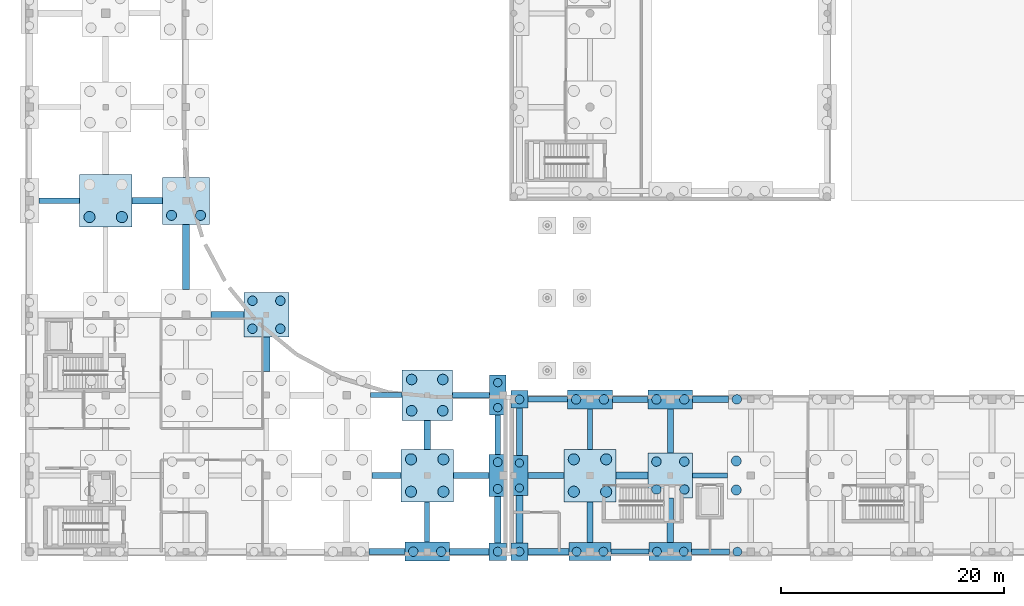
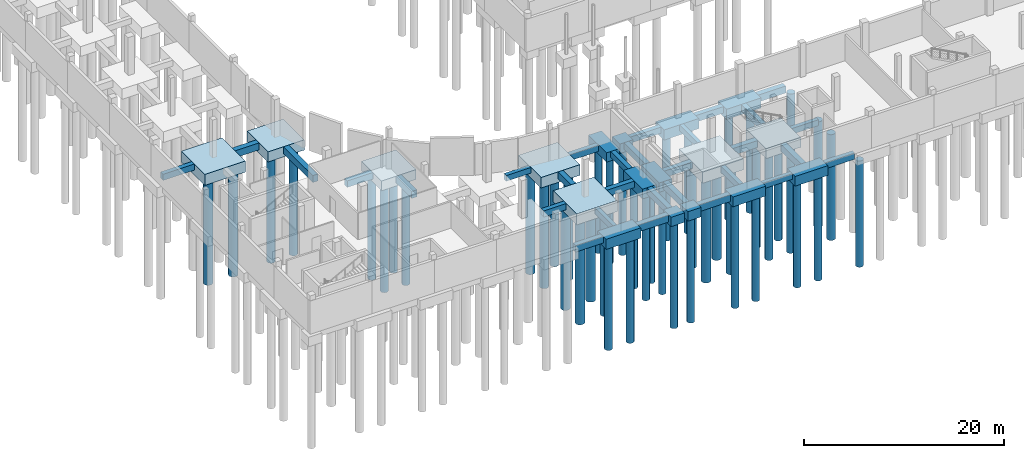
# One storey, part 2 of 41: 48 footings, 47 piles.
"""IFC4 building model written with IfcOpenShell, lengths in metres."""

from ifc_helpers import new_model, si_unit, direction, frame, origin, origin_2d, place, context, subcontext, project, spatial, rectangle, circle, extrude, material, material_profile, profile_set, type_object, element, save


model = new_model("IFC4")

# Units and contexts
model_context = context("Model", 3, precision=1e-05, world=origin(), true_north=direction((0.0, 1.0)))
body_context = subcontext(model_context, "Body", "Model", "MODEL_VIEW")
ifc_project = project(units=[si_unit("LENGTHUNIT", "METRE"), si_unit("AREAUNIT", "SQUARE_METRE"), si_unit("VOLUMEUNIT", "CUBIC_METRE"), si_unit("PLANEANGLEUNIT", "RADIAN"), si_unit("MASSUNIT", "GRAM", prefix="KILO")], contexts=[model_context])

# Site, building, storey
site_placement = place(None, origin())
site = spatial("IfcSite", under=ifc_project, at=site_placement, CompositionType="ELEMENT")
building_placement = place(site_placement, origin())
building = spatial("IfcBuilding", under=site, at=building_placement, Name="Vardoun Plaza Health Centre", CompositionType="ELEMENT")
storey_placement = place(building_placement, frame((0.0, 0.0, -4.5)))
storey = spatial("IfcBuildingStorey", under=building, at=storey_placement, Name="B1", CompositionType="ELEMENT", Elevation=-4.5)

# Footings
ifc_material_1 = material(Name="Concrete C40/50", Category="concrete")
footing_type_1 = type_object("IfcFootingType", Name="PC-02", PredefinedType="PILE_CAP", material=ifc_material_1)
for number, where, z_axis, x_axis, name in (
    (1, (46.820068359375, 4.8798828125, -1.570068359375), (0.0, 0.0, 1.0), (1.0, 0.0, 0.0), "V2 Pile Cap PC-V2-41"),
    (2, (48.760009765625, 4.8798828125, -1.570068359375), (0.0, 0.0, 1.0), (1.0, 0.0, 0.0), "V4 Pile Cap PC-V4-01"),
    (3, (48.760009765625, 18.52001953125, -1.570068359375), (0.0, 0.0, 1.0), (1.0, 0.0, 0.0), "V4 Pile Cap PC-V4-03"),
):
    element("IfcFooting", number, at=place(storey_placement, frame(where, z_axis=z_axis, x_axis=x_axis)), inside=storey, type_object=footing_type_1, Name=name, PredefinedType="PILE_CAP", context=body_context, shape_type="SweptSolid", body=[
        extrude(rectangle(XDim=1.550048828125, YDim=1.550048828125, at=origin_2d()), origin(), (0.0, 0.0, 1.0), 1.14990234375),
    ])
ifc_material_2 = material(Name="Concrete C40/50", Category="concrete")
footing_type_2 = type_object("IfcFootingType", Name="PC-03", PredefinedType="PILE_CAP", material=ifc_material_2)
for number, where, z_axis, x_axis, name in (
    (4, (46.820068359375, 18.89990234375, -1.570068359375), (0.0, 0.0, 1.0), (0.0, 1.0, 0.0), "V2 Pile Cap PC-V2-43"),
    (5, (48.760009765625, 11.699951171875, -1.570068359375), (0.0, 0.0, 1.0), (0.0, 1.0, 0.0), "V4 Pile Cap PC-V4-02"),
):
    element("IfcFooting", number, at=place(storey_placement, frame(where, z_axis=z_axis, x_axis=x_axis)), inside=storey, type_object=footing_type_2, Name=name, PredefinedType="PILE_CAP", context=body_context, shape_type="SweptSolid", body=[
        extrude(rectangle(XDim=3.60009765625, YDim=1.5, at=origin_2d()), origin(), (0.0, 0.0, 1.0), 1.14990234375),
    ])
ifc_material_3 = material(Name="Concrete C40/50", Category="concrete")
footing_type_3 = type_object("IfcFootingType", Name="PC-04", PredefinedType="PILE_CAP", material=ifc_material_3)
for number, where, z_axis, x_axis, name in (
    (6, (46.820068359375, 11.699951171875, -1.6201171875), (0.0, 0.0, 1.0), (0.0, 1.0, 0.0), "V2 Pile Cap PC-V2-42"),
    (7, (55.080078125, 4.8798828125, -1.6201171875), (0.0, 0.0, 1.0), (1.0, 0.0, 0.0), "V4 Pile Cap PC-V4-04"),
    (8, (62.280029296875, 4.8798828125, -1.6201171875), (0.0, 0.0, 1.0), (1.0, 0.0, 0.0), "V4 Pile Cap PC-V4-07"),
):
    element("IfcFooting", number, at=place(storey_placement, frame(where, z_axis=z_axis, x_axis=x_axis)), inside=storey, type_object=footing_type_3, Name=name, PredefinedType="PILE_CAP", context=body_context, shape_type="SweptSolid", body=[
        extrude(rectangle(XDim=3.800048828125, YDim=1.60009765625, at=origin_2d()), origin(), (0.0, 0.0, 1.0), 1.199951171875),
    ])
ifc_material_4 = material(Name="Concrete C40/50", Category="concrete")
footing_type_4 = type_object("IfcFootingType", Name="PC-05", PredefinedType="PILE_CAP", material=ifc_material_4)
for number, where, z_axis, x_axis, name in (
    (9, (40.5, 4.8798828125, -1.669921875), (0.0, 0.0, 1.0), (1.0, 0.0, 0.0), "V2 Pile Cap PC-V2-38"),
    (10, (55.080078125, 18.52001953125, -1.669921875), (0.0, 0.0, 1.0), (1.0, 0.0, 0.0), "V4 Pile Cap PC-V4-06"),
    (11, (62.280029296875, 18.52001953125, -1.669921875), (0.0, 0.0, 1.0), (1.0, 0.0, 0.0), "V4 Pile Cap PC-V4-09"),
):
    element("IfcFooting", number, at=place(storey_placement, frame(where, z_axis=z_axis, x_axis=x_axis)), inside=storey, type_object=footing_type_4, Name=name, PredefinedType="PILE_CAP", context=body_context, shape_type="SweptSolid", body=[
        extrude(rectangle(XDim=4.0, YDim=1.699951171875, at=origin_2d()), origin(), (0.0, 0.0, 1.0), 1.25),
    ])
ifc_material_5 = material(Name="Concrete C40/50", Category="concrete")
footing_type_5 = type_object("IfcFootingType", Name="PC-06", PredefinedType="PILE_CAP", material=ifc_material_5)
for number, where, z_axis, x_axis, name in (
    (12, (26.10009765625, 26.10009765625, -1.6201171875), (0.0, 0.0, 1.0), (1.0, 0.0, 0.0), "V2 Pile Cap PC-V2-34"),
    (13, (62.280029296875, 11.699951171875, -1.6201171875), (0.0, 0.0, 1.0), (1.0, 0.0, 0.0), "V4 Pile Cap PC-V4-08"),
):
    element("IfcFooting", number, at=place(storey_placement, frame(where, z_axis=z_axis, x_axis=x_axis)), inside=storey, type_object=footing_type_5, Name=name, PredefinedType="PILE_CAP", context=body_context, shape_type="SweptSolid", body=[
        extrude(rectangle(XDim=4.0, YDim=4.0, at=origin_2d()), origin(), (0.0, 0.0, 1.0), 1.199951171875),
    ])
ifc_material_6 = material(Name="Concrete C40/50", Category="concrete")
footing_type_6 = type_object("IfcFootingType", Name="PC-07", PredefinedType="PILE_CAP", material=ifc_material_6)
footing_1_placement = place(storey_placement, frame((18.89990234375, 36.300048828125, -1.669921875), z_axis=(0.0, 0.0, 1.0), x_axis=(1.0, 0.0, 0.0)))
element("IfcFooting", 14, at=footing_1_placement, inside=storey, type_object=footing_type_6, Name="V2 Pile Cap PC-V2-25", PredefinedType="PILE_CAP", context=body_context, shape_type="SweptSolid", body=[
    extrude(rectangle(XDim=4.199951171875, YDim=4.199951171875, at=origin_2d()), origin(), (0.0, 0.0, 1.0), 1.25),
])
ifc_material_7 = material(Name="Concrete C40/50", Category="concrete")
footing_type_7 = type_object("IfcFootingType", Name="PC-08", PredefinedType="PILE_CAP", material=ifc_material_7)
footing_2_placement = place(storey_placement, frame((40.5, 18.89990234375, -1.72021484375), z_axis=(0.0, 0.0, 1.0), x_axis=(1.0, 0.0, 0.0)))
element("IfcFooting", 15, at=footing_2_placement, inside=storey, type_object=footing_type_7, Name="V2 Pile Cap PC-V2-40", PredefinedType="PILE_CAP", context=body_context, shape_type="SweptSolid", body=[
    extrude(rectangle(XDim=4.5, YDim=4.5, at=origin_2d()), origin(), (0.0, 0.0, 1.0), 1.300048828125),
])
ifc_material_8 = material(Name="Concrete C40/50", Category="concrete")
footing_type_8 = type_object("IfcFootingType", Name="PC-09", PredefinedType="PILE_CAP", material=ifc_material_8)
for number, where, z_axis, x_axis, name in (
    (16, (11.699951171875, 36.300048828125, -1.77001953125), (0.0, 0.0, 1.0), (1.0, 0.0, 0.0), "V2 Pile Cap PC-V2-15"),
    (17, (40.5, 11.699951171875, -1.77001953125), (0.0, 0.0, 1.0), (1.0, 0.0, 0.0), "V2 Pile Cap PC-V2-39"),
    (18, (55.080078125, 11.699951171875, -1.77001953125), (0.0, 0.0, 1.0), (1.0, 0.0, 0.0), "V4 Pile Cap PC-V4-05"),
):
    element("IfcFooting", number, at=place(storey_placement, frame(where, z_axis=z_axis, x_axis=x_axis)), inside=storey, type_object=footing_type_8, Name=name, PredefinedType="PILE_CAP", context=body_context, shape_type="SweptSolid", body=[
        extrude(rectangle(XDim=4.699951171875, YDim=4.699951171875, at=origin_2d()), origin(), (0.0, 0.0, 1.0), 1.35009765625),
    ])
ifc_material_9 = material(Name="Concrete C40/50", Category="concrete")
ifc_material_profile_1 = material_profile(ifc_material_9, rectangle(XDim=0.449951171875, YDim=0.699951171875, at=origin_2d()), Name="GB 450x700")
ifc_profile_set_1 = profile_set([ifc_material_profile_1], Name="Concrete C40/50")
footing_type_9 = type_object("IfcFootingType", Name="GB-01", PredefinedType="FOOTING_BEAM", material=ifc_profile_set_1)
footing_3_placement = place(storey_placement, frame((35.400146484375, 18.89990234375, -0.77001953125), z_axis=(1.0, 0.0, 0.0), x_axis=(0.0, 1.0, 0.0)))
element("IfcFooting", 19, at=footing_3_placement, inside=storey, type_object=footing_type_9, Name="V2 Ground Tie Beam 30", PredefinedType="FOOTING_BEAM", context=body_context, shape_type="SweptSolid", body=[
    extrude(rectangle(XDim=0.449951171875, YDim=0.699951171875, at=origin_2d()), origin(), (0.0, 0.0, 1.0), 2.849853515625),
])
footing_4_placement = place(storey_placement, frame((40.5, 5.72998046875, -0.77001953125), z_axis=(0.0, 1.0, 0.0), x_axis=(-1.0, 0.0, 0.0)))
element("IfcFooting", 20, at=footing_4_placement, inside=storey, type_object=footing_type_9, Name="V2 Ground Tie Beam 66", PredefinedType="FOOTING_BEAM", context=body_context, shape_type="SweptSolid", body=[
    extrude(rectangle(XDim=0.449951171875, YDim=0.699951171875, at=origin_2d()), origin(), (0.0, 0.0, 1.0), 3.6201171875),
])
footing_5_placement = place(storey_placement, frame((56.97998046875, 4.8798828125, -0.77001953125), z_axis=(1.0, 0.0, 0.0), x_axis=(0.0, 1.0, 0.0)))
element("IfcFooting", 21, at=footing_5_placement, inside=storey, type_object=footing_type_9, Name="V4 Ground Tie Beam 4", PredefinedType="FOOTING_BEAM", context=body_context, shape_type="SweptSolid", body=[
    extrude(rectangle(XDim=0.449951171875, YDim=0.699951171875, at=origin_2d()), origin(), (0.0, 0.0, 1.0), 3.39990234375),
])
footing_6_placement = place(storey_placement, frame((64.280029296875, 11.699951171875, -0.77001953125), z_axis=(1.0, 0.0, 0.0), x_axis=(0.0, 1.0, 0.0)))
element("IfcFooting", 22, at=footing_6_placement, inside=storey, type_object=footing_type_9, Name="V4 Ground Tie Beam 8", PredefinedType="FOOTING_BEAM", context=body_context, shape_type="SweptSolid", body=[
    extrude(rectangle(XDim=0.449951171875, YDim=0.699951171875, at=origin_2d()), origin(), (0.0, 0.0, 1.0), 3.099853515625),
])
footing_7_placement = place(storey_placement, frame((55.080078125, 14.050048828125, -0.77001953125), z_axis=(0.0, 1.0, 0.0), x_axis=(-1.0, 0.0, 0.0)))
element("IfcFooting", 23, at=footing_7_placement, inside=storey, type_object=footing_type_9, Name="V4 Ground Tie Beam 28", PredefinedType="FOOTING_BEAM", context=body_context, shape_type="SweptSolid", body=[
    extrude(rectangle(XDim=0.449951171875, YDim=0.699951171875, at=origin_2d()), origin(), (0.0, 0.0, 1.0), 3.619873046875),
])
ifc_material_10 = material(Name="Concrete C40/50", Category="concrete")
ifc_material_profile_2 = material_profile(ifc_material_10, rectangle(XDim=0.5, YDim=0.75, at=origin_2d()), Name="GB 500x750")
ifc_profile_set_2 = profile_set([ifc_material_profile_2], Name="Concrete C40/50")
footing_type_10 = type_object("IfcFootingType", Name="GB-02", PredefinedType="FOOTING_BEAM", material=ifc_profile_set_2)
footing_8_placement = place(storey_placement, frame((5.72998046875, 36.300048828125, -0.794921875), z_axis=(1.0, 0.0, 0.0), x_axis=(0.0, 1.0, 0.0)))
element("IfcFooting", 24, at=footing_8_placement, inside=storey, type_object=footing_type_10, Name="V2 Ground Tie Beam 5", PredefinedType="FOOTING_BEAM", context=body_context, shape_type="SweptSolid", body=[
    extrude(rectangle(XDim=0.5, YDim=0.75, at=origin_2d()), origin(), (0.0, 0.0, 1.0), 3.6201171875),
])
footing_9_placement = place(storey_placement, frame((35.550048828125, 11.699951171875, -0.794921875), z_axis=(1.0, 0.0, 0.0), x_axis=(0.0, 1.0, 0.0)))
element("IfcFooting", 25, at=footing_9_placement, inside=storey, type_object=footing_type_10, Name="V2 Ground Tie Beam 29", PredefinedType="FOOTING_BEAM", context=body_context, shape_type="SweptSolid", body=[
    extrude(rectangle(XDim=0.5, YDim=0.75, at=origin_2d()), origin(), (0.0, 0.0, 1.0), 2.60009765625),
])
footing_10_placement = place(storey_placement, frame((42.75, 18.89990234375, -0.794921875), z_axis=(1.0, 0.0, 0.0), x_axis=(0.0, 1.0, 0.0)))
element("IfcFooting", 26, at=footing_10_placement, inside=storey, type_object=footing_type_10, Name="V2 Ground Tie Beam 33", PredefinedType="FOOTING_BEAM", context=body_context, shape_type="SweptSolid", body=[
    extrude(rectangle(XDim=0.5, YDim=0.75, at=origin_2d()), origin(), (0.0, 0.0, 1.0), 3.320068359375),
])
footing_11_placement = place(storey_placement, frame((46.820068359375, 13.60009765625, -0.794921875), z_axis=(0.0, 1.0, 0.0), x_axis=(-1.0, 0.0, 0.0)))
element("IfcFooting", 27, at=footing_11_placement, inside=storey, type_object=footing_type_10, Name="V2 Ground Tie Beam 69", PredefinedType="FOOTING_BEAM", context=body_context, shape_type="SweptSolid", body=[
    extrude(rectangle(XDim=0.5, YDim=0.75, at=origin_2d()), origin(), (0.0, 0.0, 1.0), 3.5),
])
footing_12_placement = place(storey_placement, frame((49.534912109375, 18.52001953125, -0.794921875), z_axis=(1.0, 0.0, 0.0), x_axis=(0.0, 1.0, 0.0)))
element("IfcFooting", 28, at=footing_12_placement, inside=storey, type_object=footing_type_10, Name="V4 Ground Tie Beam 3", PredefinedType="FOOTING_BEAM", context=body_context, shape_type="SweptSolid", body=[
    extrude(rectangle(XDim=0.5, YDim=0.75, at=origin_2d()), origin(), (0.0, 0.0, 1.0), 3.545166015625),
])
footing_13_placement = place(storey_placement, frame((64.179931640625, 4.8798828125, -0.794921875), z_axis=(1.0, 0.0, 0.0), x_axis=(0.0, 1.0, 0.0)))
element("IfcFooting", 29, at=footing_13_placement, inside=storey, type_object=footing_type_10, Name="V4 Ground Tie Beam 7", PredefinedType="FOOTING_BEAM", context=body_context, shape_type="SweptSolid", body=[
    extrude(rectangle(XDim=0.5, YDim=0.75, at=origin_2d()), origin(), (0.0, 0.0, 1.0), 3.400146484375),
])
footing_14_placement = place(storey_placement, frame((55.080078125, 5.679931640625, -0.794921875), z_axis=(0.0, 1.0, 0.0), x_axis=(-1.0, 0.0, 0.0)))
element("IfcFooting", 30, at=footing_14_placement, inside=storey, type_object=footing_type_10, Name="V4 Ground Tie Beam 27", PredefinedType="FOOTING_BEAM", context=body_context, shape_type="SweptSolid", body=[
    extrude(rectangle(XDim=0.5, YDim=0.75, at=origin_2d()), origin(), (0.0, 0.0, 1.0), 3.670166015625),
])
ifc_material_11 = material(Name="Concrete C40/50", Category="concrete")
ifc_material_profile_3 = material_profile(ifc_material_11, rectangle(XDim=0.550048828125, YDim=0.800048828125, at=origin_2d()), Name="GB 550x800")
ifc_profile_set_3 = profile_set([ifc_material_profile_3], Name="Concrete C40/50")
footing_type_11 = type_object("IfcFootingType", Name="GB-03", PredefinedType="FOOTING_BEAM", material=ifc_profile_set_3)
footing_15_placement = place(storey_placement, frame((21.14990234375, 26.10009765625, -0.820068359375), z_axis=(1.0, 0.0, 0.0), x_axis=(0.0, 1.0, 0.0)))
element("IfcFooting", 31, at=footing_15_placement, inside=storey, type_object=footing_type_11, Name="V2 Ground Tie Beam 24", PredefinedType="FOOTING_BEAM", context=body_context, shape_type="SweptSolid", body=[
    extrude(rectangle(XDim=0.550048828125, YDim=0.800048828125, at=origin_2d()), origin(), (0.0, 0.0, 1.0), 2.9501953125),
])
footing_16_placement = place(storey_placement, frame((35.300048828125, 4.8798828125, -0.820068359375), z_axis=(1.0, 0.0, 0.0), x_axis=(0.0, 1.0, 0.0)))
element("IfcFooting", 32, at=footing_16_placement, inside=storey, type_object=footing_type_11, Name="V2 Ground Tie Beam 28", PredefinedType="FOOTING_BEAM", context=body_context, shape_type="SweptSolid", body=[
    extrude(rectangle(XDim=0.550048828125, YDim=0.800048828125, at=origin_2d()), origin(), (0.0, 0.0, 1.0), 3.199951171875),
])
footing_17_placement = place(storey_placement, frame((42.85009765625, 11.699951171875, -0.820068359375), z_axis=(1.0, 0.0, 0.0), x_axis=(0.0, 1.0, 0.0)))
element("IfcFooting", 33, at=footing_17_placement, inside=storey, type_object=footing_type_11, Name="V2 Ground Tie Beam 32", PredefinedType="FOOTING_BEAM", context=body_context, shape_type="SweptSolid", body=[
    extrude(rectangle(XDim=0.550048828125, YDim=0.800048828125, at=origin_2d()), origin(), (0.0, 0.0, 1.0), 3.169921875),
])
footing_18_placement = place(storey_placement, frame((46.820068359375, 5.655029296875, -0.820068359375), z_axis=(0.0, 1.0, 0.0), x_axis=(-1.0, 0.0, 0.0)))
element("IfcFooting", 34, at=footing_18_placement, inside=storey, type_object=footing_type_11, Name="V2 Ground Tie Beam 68", PredefinedType="FOOTING_BEAM", context=body_context, shape_type="SweptSolid", body=[
    extrude(rectangle(XDim=0.550048828125, YDim=0.800048828125, at=origin_2d()), origin(), (0.0, 0.0, 1.0), 4.14501953125),
])
footing_19_placement = place(storey_placement, frame((49.510009765625, 11.699951171875, -0.820068359375), z_axis=(1.0, 0.0, 0.0), x_axis=(0.0, 1.0, 0.0)))
element("IfcFooting", 35, at=footing_19_placement, inside=storey, type_object=footing_type_11, Name="V4 Ground Tie Beam 2", PredefinedType="FOOTING_BEAM", context=body_context, shape_type="SweptSolid", body=[
    extrude(rectangle(XDim=0.550048828125, YDim=0.800048828125, at=origin_2d()), origin(), (0.0, 0.0, 1.0), 3.219970703125),
])
footing_20_placement = place(storey_placement, frame((57.080078125, 18.52001953125, -0.820068359375), z_axis=(1.0, 0.0, 0.0), x_axis=(0.0, 1.0, 0.0)))
element("IfcFooting", 36, at=footing_20_placement, inside=storey, type_object=footing_type_11, Name="V4 Ground Tie Beam 6", PredefinedType="FOOTING_BEAM", context=body_context, shape_type="SweptSolid", body=[
    extrude(rectangle(XDim=0.550048828125, YDim=0.800048828125, at=origin_2d()), origin(), (0.0, 0.0, 1.0), 3.199951171875),
])
footing_21_placement = place(storey_placement, frame((48.760009765625, 13.5, -0.820068359375), z_axis=(0.0, 1.0, 0.0), x_axis=(-1.0, 0.0, 0.0)))
element("IfcFooting", 37, at=footing_21_placement, inside=storey, type_object=footing_type_11, Name="V4 Ground Tie Beam 26", PredefinedType="FOOTING_BEAM", context=body_context, shape_type="SweptSolid", body=[
    extrude(rectangle(XDim=0.550048828125, YDim=0.800048828125, at=origin_2d()), origin(), (0.0, 0.0, 1.0), 4.2451171875),
])
footing_22_placement = place(storey_placement, frame((62.280029296875, 13.699951171875, -0.820068359375), z_axis=(0.0, 1.0, 0.0), x_axis=(-1.0, 0.0, 0.0)))
element("IfcFooting", 38, at=footing_22_placement, inside=storey, type_object=footing_type_11, Name="V4 Ground Tie Beam 30", PredefinedType="FOOTING_BEAM", context=body_context, shape_type="SweptSolid", body=[
    extrude(rectangle(XDim=0.550048828125, YDim=0.800048828125, at=origin_2d()), origin(), (0.0, 0.0, 1.0), 3.969970703125),
])
ifc_material_12 = material(Name="Concrete C40/50", Category="concrete")
ifc_material_profile_4 = material_profile(ifc_material_12, rectangle(XDim=0.60009765625, YDim=0.85009765625, at=origin_2d()), Name="GB 600x850")
ifc_profile_set_4 = profile_set([ifc_material_profile_4], Name="Concrete C40/50")
footing_type_12 = type_object("IfcFootingType", Name="GB-04", PredefinedType="FOOTING_BEAM", material=ifc_profile_set_4)
footing_23_placement = place(storey_placement, frame((14.050048828125, 36.300048828125, -0.844970703125), z_axis=(1.0, 0.0, 0.0), x_axis=(0.0, 1.0, 0.0)))
element("IfcFooting", 39, at=footing_23_placement, inside=storey, type_object=footing_type_12, Name="V2 Ground Tie Beam 15", PredefinedType="FOOTING_BEAM", context=body_context, shape_type="SweptSolid", body=[
    extrude(rectangle(XDim=0.60009765625, YDim=0.85009765625, at=origin_2d()), origin(), (0.0, 0.0, 1.0), 2.75),
])
footing_24_placement = place(storey_placement, frame((42.5, 4.8798828125, -0.844970703125), z_axis=(1.0, 0.0, 0.0), x_axis=(0.0, 1.0, 0.0)))
element("IfcFooting", 40, at=footing_24_placement, inside=storey, type_object=footing_type_12, Name="V2 Ground Tie Beam 31", PredefinedType="FOOTING_BEAM", context=body_context, shape_type="SweptSolid", body=[
    extrude(rectangle(XDim=0.60009765625, YDim=0.85009765625, at=origin_2d()), origin(), (0.0, 0.0, 1.0), 3.544921875),
])
footing_25_placement = place(storey_placement, frame((18.89990234375, 28.35009765625, -0.844970703125), z_axis=(0.0, 1.0, 0.0), x_axis=(-1.0, 0.0, 0.0)))
element("IfcFooting", 41, at=footing_25_placement, inside=storey, type_object=footing_type_12, Name="V2 Ground Tie Beam 55", PredefinedType="FOOTING_BEAM", context=body_context, shape_type="SweptSolid", body=[
    extrude(rectangle(XDim=0.60009765625, YDim=0.85009765625, at=origin_2d()), origin(), (0.0, 0.0, 1.0), 5.849853515625),
])
footing_26_placement = place(storey_placement, frame((26.10009765625, 21.0, -0.844970703125), z_axis=(0.0, 1.0, 0.0), x_axis=(-1.0, 0.0, 0.0)))
element("IfcFooting", 42, at=footing_26_placement, inside=storey, type_object=footing_type_12, Name="V2 Ground Tie Beam 63", PredefinedType="FOOTING_BEAM", context=body_context, shape_type="SweptSolid", body=[
    extrude(rectangle(XDim=0.60009765625, YDim=0.85009765625, at=origin_2d()), origin(), (0.0, 0.0, 1.0), 3.10009765625),
])
footing_27_placement = place(storey_placement, frame((40.5, 14.050048828125, -0.844970703125), z_axis=(0.0, 1.0, 0.0), x_axis=(-1.0, 0.0, 0.0)))
element("IfcFooting", 43, at=footing_27_placement, inside=storey, type_object=footing_type_12, Name="V2 Ground Tie Beam 67", PredefinedType="FOOTING_BEAM", context=body_context, shape_type="SweptSolid", body=[
    extrude(rectangle(XDim=0.60009765625, YDim=0.85009765625, at=origin_2d()), origin(), (0.0, 0.0, 1.0), 2.599853515625),
])
footing_28_placement = place(storey_placement, frame((49.534912109375, 4.8798828125, -0.844970703125), z_axis=(1.0, 0.0, 0.0), x_axis=(0.0, 1.0, 0.0)))
element("IfcFooting", 44, at=footing_28_placement, inside=storey, type_object=footing_type_12, Name="V4 Ground Tie Beam 1", PredefinedType="FOOTING_BEAM", context=body_context, shape_type="SweptSolid", body=[
    extrude(rectangle(XDim=0.60009765625, YDim=0.85009765625, at=origin_2d()), origin(), (0.0, 0.0, 1.0), 3.64501953125),
])
footing_29_placement = place(storey_placement, frame((57.429931640625, 11.699951171875, -0.844970703125), z_axis=(1.0, 0.0, 0.0), x_axis=(0.0, 1.0, 0.0)))
element("IfcFooting", 45, at=footing_29_placement, inside=storey, type_object=footing_type_12, Name="V4 Ground Tie Beam 5", PredefinedType="FOOTING_BEAM", context=body_context, shape_type="SweptSolid", body=[
    extrude(rectangle(XDim=0.60009765625, YDim=0.85009765625, at=origin_2d()), origin(), (0.0, 0.0, 1.0), 2.85009765625),
])
footing_30_placement = place(storey_placement, frame((64.280029296875, 18.52001953125, -0.844970703125), z_axis=(1.0, 0.0, 0.0), x_axis=(0.0, 1.0, 0.0)))
element("IfcFooting", 46, at=footing_30_placement, inside=storey, type_object=footing_type_12, Name="V4 Ground Tie Beam 9", PredefinedType="FOOTING_BEAM", context=body_context, shape_type="SweptSolid", body=[
    extrude(rectangle(XDim=0.60009765625, YDim=0.85009765625, at=origin_2d()), origin(), (0.0, 0.0, 1.0), 3.199951171875),
])
footing_31_placement = place(storey_placement, frame((48.760009765625, 5.655029296875, -0.844970703125), z_axis=(0.0, 1.0, 0.0), x_axis=(-1.0, 0.0, 0.0)))
element("IfcFooting", 47, at=footing_31_placement, inside=storey, type_object=footing_type_12, Name="V4 Ground Tie Beam 25", PredefinedType="FOOTING_BEAM", context=body_context, shape_type="SweptSolid", body=[
    extrude(rectangle(XDim=0.60009765625, YDim=0.85009765625, at=origin_2d()), origin(), (0.0, 0.0, 1.0), 4.244873046875),
])
footing_32_placement = place(storey_placement, frame((62.280029296875, 5.679931640625, -0.844970703125), z_axis=(0.0, 1.0, 0.0), x_axis=(-1.0, 0.0, 0.0)))
element("IfcFooting", 48, at=footing_32_placement, inside=storey, type_object=footing_type_12, Name="V4 Ground Tie Beam 29", PredefinedType="FOOTING_BEAM", context=body_context, shape_type="SweptSolid", body=[
    extrude(rectangle(XDim=0.60009765625, YDim=0.85009765625, at=origin_2d()), origin(), (0.0, 0.0, 1.0), 4.02001953125),
])

# Piles
ifc_material_13 = material(Name="Concrete C40/50", Category="concrete")
ifc_material_profile_5 = material_profile(ifc_material_13, circle(Radius=0.5, at=origin_2d()), Name="PILE D1000")
ifc_profile_set_5 = profile_set([ifc_material_profile_5], Name="Concrete C40/50")
pile_type_1 = type_object("IfcPileType", Name="PL-06", PredefinedType="BORED", material=ifc_profile_set_5)
for number, where, z_axis, x_axis, name in (
    (49, (10.25, 34.85009765625, -1.669921875), (0.0, 0.0, -1.0), (1.0, 0.0, 0.0), "V2 Bored Pile PL-V2-15A"),
    (50, (13.14990234375, 34.85009765625, -1.669921875), (0.0, 0.0, -1.0), (1.0, 0.0, 0.0), "V2 Bored Pile PL-V2-15B"),
    (51, (39.050048828125, 10.25, -1.669921875), (0.0, 0.0, -1.0), (1.0, 0.0, 0.0), "V2 Bored Pile PL-V2-39A"),
    (52, (41.949951171875, 10.25, -1.669921875), (0.0, 0.0, -1.0), (1.0, 0.0, 0.0), "V2 Bored Pile PL-V2-39B"),
    (53, (39.050048828125, 13.14990234375, -1.669921875), (0.0, 0.0, -1.0), (1.0, 0.0, 0.0), "V2 Bored Pile PL-V2-39C"),
    (54, (41.949951171875, 13.14990234375, -1.669921875), (0.0, 0.0, -1.0), (1.0, 0.0, 0.0), "V2 Bored Pile PL-V2-39D"),
    (55, (53.6298828125, 10.25, -1.669921875), (0.0, 0.0, -1.0), (1.0, 0.0, 0.0), "V4 Bored Pile PL-V4-05A"),
    (56, (56.530029296875, 10.25, -1.669921875), (0.0, 0.0, -1.0), (1.0, 0.0, 0.0), "V4 Bored Pile PL-V4-05B"),
    (57, (53.6298828125, 13.14990234375, -1.669921875), (0.0, 0.0, -1.0), (1.0, 0.0, 0.0), "V4 Bored Pile PL-V4-05C"),
    (58, (56.530029296875, 13.14990234375, -1.669921875), (0.0, 0.0, -1.0), (1.0, 0.0, 0.0), "V4 Bored Pile PL-V4-05D"),
):
    element("IfcPile", number, at=place(storey_placement, frame(where, z_axis=z_axis, x_axis=x_axis)), inside=storey, type_object=pile_type_1, Name=name, PredefinedType="BORED", context=body_context, shape_type="SweptSolid", body=[
        extrude(circle(Radius=0.5, at=origin_2d()), origin(), (0.0, 0.0, 1.0), 12.830078125),
    ])
ifc_material_14 = material(Name="Concrete C40/50", Category="concrete")
ifc_material_profile_6 = material_profile(ifc_material_14, circle(Radius=0.375, at=origin_2d()), Name="PILE D750")
ifc_profile_set_6 = profile_set([ifc_material_profile_6], Name="Concrete C40/50")
pile_type_2 = type_object("IfcPileType", Name="PL-01", PredefinedType="BORED", material=ifc_profile_set_6)
for number, where, z_axis, x_axis, name in (
    (59, (46.820068359375, 17.780029296875, -1.469970703125), (0.0, 0.0, -1.0), (1.0, 0.0, 0.0), "V2 Bored Pile PL-V2-43A"),
    (60, (46.820068359375, 20.02001953125, -1.469970703125), (0.0, 0.0, -1.0), (1.0, 0.0, 0.0), "V2 Bored Pile PL-V2-43B"),
    (61, (48.760009765625, 10.580078125, -1.469970703125), (0.0, 0.0, -1.0), (1.0, 0.0, 0.0), "V4 Bored Pile PL-V4-02A"),
    (62, (48.760009765625, 12.820068359375, -1.469970703125), (0.0, 0.0, -1.0), (1.0, 0.0, 0.0), "V4 Bored Pile PL-V4-02B"),
):
    element("IfcPile", number, at=place(storey_placement, frame(where, z_axis=z_axis, x_axis=x_axis)), inside=storey, type_object=pile_type_2, Name=name, PredefinedType="BORED", context=body_context, shape_type="SweptSolid", body=[
        extrude(circle(Radius=0.375, at=origin_2d()), origin(), (0.0, 0.0, 1.0), 13.030029296875),
    ])
ifc_material_15 = material(Name="Concrete C40/50", Category="concrete")
ifc_material_profile_7 = material_profile(ifc_material_15, circle(Radius=0.39990234375, at=origin_2d()), Name="PILE D800")
ifc_profile_set_7 = profile_set([ifc_material_profile_7], Name="Concrete C40/50")
pile_type_3 = type_object("IfcPileType", Name="PL-02", PredefinedType="BORED", material=ifc_profile_set_7)
pile_placement = place(storey_placement, frame((46.820068359375, 4.8798828125, -1.469970703125), z_axis=(0.0, 0.0, -1.0), x_axis=(1.0, 0.0, 0.0)))
element("IfcPile", 63, at=pile_placement, inside=storey, type_object=pile_type_3, Name="V2 Bored Pile PL-V2-41A", PredefinedType="BORED", context=body_context, shape_type="SweptSolid", body=[
    extrude(circle(Radius=0.39990234375, at=origin_2d()), origin(), (0.0, 0.0, 1.0), 13.030029296875),
])
for number, where, z_axis, x_axis, name in (
    (64, (46.820068359375, 10.5, -1.52001953125), (0.0, 0.0, -1.0), (1.0, 0.0, 0.0), "V2 Bored Pile PL-V2-42A"),
    (65, (46.820068359375, 12.89990234375, -1.52001953125), (0.0, 0.0, -1.0), (1.0, 0.0, 0.0), "V2 Bored Pile PL-V2-42B"),
):
    element("IfcPile", number, at=place(storey_placement, frame(where, z_axis=z_axis, x_axis=x_axis)), inside=storey, type_object=pile_type_3, Name=name, PredefinedType="BORED", context=body_context, shape_type="SweptSolid", body=[
        extrude(circle(Radius=0.39990234375, at=origin_2d()), origin(), (0.0, 0.0, 1.0), 12.97998046875),
    ])
for number, where, z_axis, x_axis, name in (
    (66, (48.760009765625, 4.8798828125, -1.469970703125), (0.0, 0.0, -1.0), (1.0, 0.0, 0.0), "V4 Bored Pile PL-V4-01A"),
    (67, (48.760009765625, 18.52001953125, -1.469970703125), (0.0, 0.0, -1.0), (1.0, 0.0, 0.0), "V4 Bored Pile PL-V4-03A"),
):
    element("IfcPile", number, at=place(storey_placement, frame(where, z_axis=z_axis, x_axis=x_axis)), inside=storey, type_object=pile_type_3, Name=name, PredefinedType="BORED", context=body_context, shape_type="SweptSolid", body=[
        extrude(circle(Radius=0.39990234375, at=origin_2d()), origin(), (0.0, 0.0, 1.0), 13.030029296875),
    ])
for number, where, z_axis, x_axis, name in (
    (68, (53.8798828125, 4.8798828125, -1.52001953125), (0.0, 0.0, -1.0), (1.0, 0.0, 0.0), "V4 Bored Pile PL-V4-04A"),
    (69, (56.280029296875, 4.8798828125, -1.52001953125), (0.0, 0.0, -1.0), (1.0, 0.0, 0.0), "V4 Bored Pile PL-V4-04B"),
    (70, (61.080078125, 4.8798828125, -1.52001953125), (0.0, 0.0, -1.0), (1.0, 0.0, 0.0), "V4 Bored Pile PL-V4-07A"),
    (71, (63.47998046875, 4.8798828125, -1.52001953125), (0.0, 0.0, -1.0), (1.0, 0.0, 0.0), "V4 Bored Pile PL-V4-07B"),
    (72, (68.280029296875, 4.8798828125, -1.52001953125), (0.0, 0.0, -1.0), (1.0, 0.0, 0.0), "V4 Bored Pile PL-V4-10A"),
):
    element("IfcPile", number, at=place(storey_placement, frame(where, z_axis=z_axis, x_axis=x_axis)), inside=storey, type_object=pile_type_3, Name=name, PredefinedType="BORED", context=body_context, shape_type="SweptSolid", body=[
        extrude(circle(Radius=0.39990234375, at=origin_2d()), origin(), (0.0, 0.0, 1.0), 12.97998046875),
    ])
ifc_material_16 = material(Name="Concrete C40/50", Category="concrete")
ifc_material_profile_8 = material_profile(ifc_material_16, circle(Radius=0.425048828125, at=origin_2d()), Name="PILE D850")
ifc_profile_set_8 = profile_set([ifc_material_profile_8], Name="Concrete C40/50")
pile_type_4 = type_object("IfcPileType", Name="PL-03", PredefinedType="BORED", material=ifc_profile_set_8)
for number, where, z_axis, x_axis, name in (
    (73, (24.85009765625, 24.85009765625, -1.52001953125), (0.0, 0.0, -1.0), (1.0, 0.0, 0.0), "V2 Bored Pile PL-V2-34A"),
    (74, (27.35009765625, 24.85009765625, -1.52001953125), (0.0, 0.0, -1.0), (1.0, 0.0, 0.0), "V2 Bored Pile PL-V2-34B"),
    (75, (24.85009765625, 27.35009765625, -1.52001953125), (0.0, 0.0, -1.0), (1.0, 0.0, 0.0), "V2 Bored Pile PL-V2-34C"),
    (76, (27.35009765625, 27.35009765625, -1.52001953125), (0.0, 0.0, -1.0), (1.0, 0.0, 0.0), "V2 Bored Pile PL-V2-34D"),
):
    element("IfcPile", number, at=place(storey_placement, frame(where, z_axis=z_axis, x_axis=x_axis)), inside=storey, type_object=pile_type_4, Name=name, PredefinedType="BORED", context=body_context, shape_type="SweptSolid", body=[
        extrude(circle(Radius=0.425048828125, at=origin_2d()), origin(), (0.0, 0.0, 1.0), 12.97998046875),
    ])
for number, where, z_axis, x_axis, name in (
    (77, (39.25, 4.8798828125, -1.570068359375), (0.0, 0.0, -1.0), (1.0, 0.0, 0.0), "V2 Bored Pile PL-V2-38A"),
    (78, (41.75, 4.8798828125, -1.570068359375), (0.0, 0.0, -1.0), (1.0, 0.0, 0.0), "V2 Bored Pile PL-V2-38B"),
    (79, (53.830078125, 18.52001953125, -1.570068359375), (0.0, 0.0, -1.0), (1.0, 0.0, 0.0), "V4 Bored Pile PL-V4-06A"),
    (80, (56.330078125, 18.52001953125, -1.570068359375), (0.0, 0.0, -1.0), (1.0, 0.0, 0.0), "V4 Bored Pile PL-V4-06B"),
):
    element("IfcPile", number, at=place(storey_placement, frame(where, z_axis=z_axis, x_axis=x_axis)), inside=storey, type_object=pile_type_4, Name=name, PredefinedType="BORED", context=body_context, shape_type="SweptSolid", body=[
        extrude(circle(Radius=0.425048828125, at=origin_2d()), origin(), (0.0, 0.0, 1.0), 12.929931640625),
    ])
for number, where, z_axis, x_axis, name in (
    (81, (61.030029296875, 10.449951171875, -1.52001953125), (0.0, 0.0, -1.0), (1.0, 0.0, 0.0), "V4 Bored Pile PL-V4-08A"),
    (82, (63.530029296875, 10.449951171875, -1.52001953125), (0.0, 0.0, -1.0), (1.0, 0.0, 0.0), "V4 Bored Pile PL-V4-08B"),
    (83, (61.030029296875, 12.949951171875, -1.52001953125), (0.0, 0.0, -1.0), (1.0, 0.0, 0.0), "V4 Bored Pile PL-V4-08C"),
    (84, (63.530029296875, 12.949951171875, -1.52001953125), (0.0, 0.0, -1.0), (1.0, 0.0, 0.0), "V4 Bored Pile PL-V4-08D"),
):
    element("IfcPile", number, at=place(storey_placement, frame(where, z_axis=z_axis, x_axis=x_axis)), inside=storey, type_object=pile_type_4, Name=name, PredefinedType="BORED", context=body_context, shape_type="SweptSolid", body=[
        extrude(circle(Radius=0.425048828125, at=origin_2d()), origin(), (0.0, 0.0, 1.0), 12.97998046875),
    ])
for number, where, z_axis, x_axis, name in (
    (85, (61.030029296875, 18.52001953125, -1.570068359375), (0.0, 0.0, -1.0), (1.0, 0.0, 0.0), "V4 Bored Pile PL-V4-09A"),
    (86, (63.530029296875, 18.52001953125, -1.570068359375), (0.0, 0.0, -1.0), (1.0, 0.0, 0.0), "V4 Bored Pile PL-V4-09B"),
    (87, (68.22998046875, 18.52001953125, -1.570068359375), (0.0, 0.0, -1.0), (1.0, 0.0, 0.0), "V4 Bored Pile PL-V4-12A"),
):
    element("IfcPile", number, at=place(storey_placement, frame(where, z_axis=z_axis, x_axis=x_axis)), inside=storey, type_object=pile_type_4, Name=name, PredefinedType="BORED", context=body_context, shape_type="SweptSolid", body=[
        extrude(circle(Radius=0.425048828125, at=origin_2d()), origin(), (0.0, 0.0, 1.0), 12.929931640625),
    ])
ifc_material_17 = material(Name="Concrete C40/50", Category="concrete")
ifc_material_profile_9 = material_profile(ifc_material_17, circle(Radius=0.449951171875, at=origin_2d()), Name="PILE D900")
ifc_profile_set_9 = profile_set([ifc_material_profile_9], Name="Concrete C40/50")
pile_type_5 = type_object("IfcPileType", Name="PL-04", PredefinedType="BORED", material=ifc_profile_set_9)
for number, where, z_axis, x_axis, name in (
    (88, (17.60009765625, 35.0, -1.570068359375), (0.0, 0.0, -1.0), (1.0, 0.0, 0.0), "V2 Bored Pile PL-V2-25A"),
    (89, (20.199951171875, 35.0, -1.570068359375), (0.0, 0.0, -1.0), (1.0, 0.0, 0.0), "V2 Bored Pile PL-V2-25B"),
    (90, (68.179931640625, 10.39990234375, -1.570068359375), (0.0, 0.0, -1.0), (1.0, 0.0, 0.0), "V4 Bored Pile PL-V4-11A"),
    (91, (68.179931640625, 13.0, -1.570068359375), (0.0, 0.0, -1.0), (1.0, 0.0, 0.0), "V4 Bored Pile PL-V4-11C"),
):
    element("IfcPile", number, at=place(storey_placement, frame(where, z_axis=z_axis, x_axis=x_axis)), inside=storey, type_object=pile_type_5, Name=name, PredefinedType="BORED", context=body_context, shape_type="SweptSolid", body=[
        extrude(circle(Radius=0.449951171875, at=origin_2d()), origin(), (0.0, 0.0, 1.0), 12.929931640625),
    ])
ifc_material_18 = material(Name="Concrete C40/50", Category="concrete")
ifc_material_profile_10 = material_profile(ifc_material_18, circle(Radius=0.47509765625, at=origin_2d()), Name="PILE D950")
ifc_profile_set_10 = profile_set([ifc_material_profile_10], Name="Concrete C40/50")
pile_type_6 = type_object("IfcPileType", Name="PL-05", PredefinedType="BORED", material=ifc_profile_set_10)
for number, where, z_axis, x_axis, name in (
    (92, (39.10009765625, 17.5, -1.6201171875), (0.0, 0.0, -1.0), (1.0, 0.0, 0.0), "V2 Bored Pile PL-V2-40A"),
    (93, (41.89990234375, 17.5, -1.6201171875), (0.0, 0.0, -1.0), (1.0, 0.0, 0.0), "V2 Bored Pile PL-V2-40B"),
    (94, (39.10009765625, 20.300048828125, -1.6201171875), (0.0, 0.0, -1.0), (1.0, 0.0, 0.0), "V2 Bored Pile PL-V2-40C"),
    (95, (41.89990234375, 20.300048828125, -1.6201171875), (0.0, 0.0, -1.0), (1.0, 0.0, 0.0), "V2 Bored Pile PL-V2-40D"),
):
    element("IfcPile", number, at=place(storey_placement, frame(where, z_axis=z_axis, x_axis=x_axis)), inside=storey, type_object=pile_type_6, Name=name, PredefinedType="BORED", context=body_context, shape_type="SweptSolid", body=[
        extrude(circle(Radius=0.47509765625, at=origin_2d()), origin(), (0.0, 0.0, 1.0), 12.8798828125),
    ])

save(model, "model.ifc")
